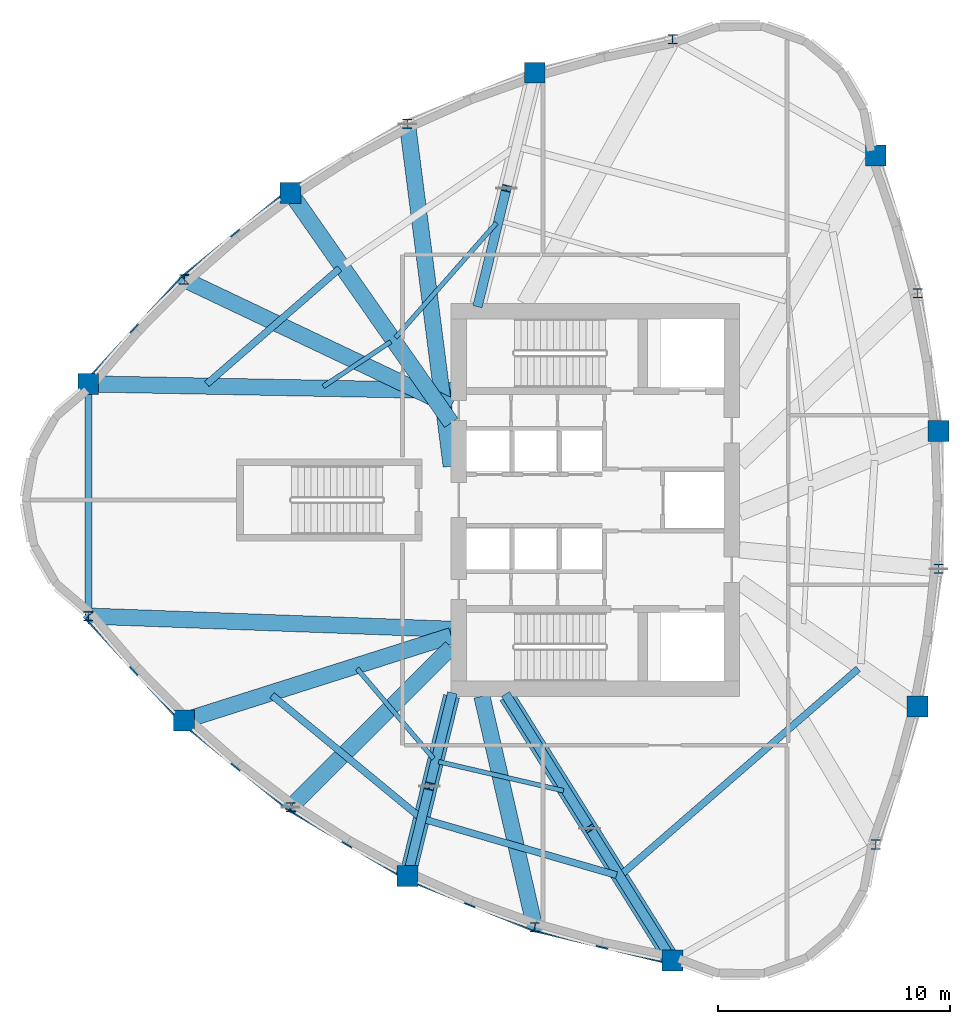
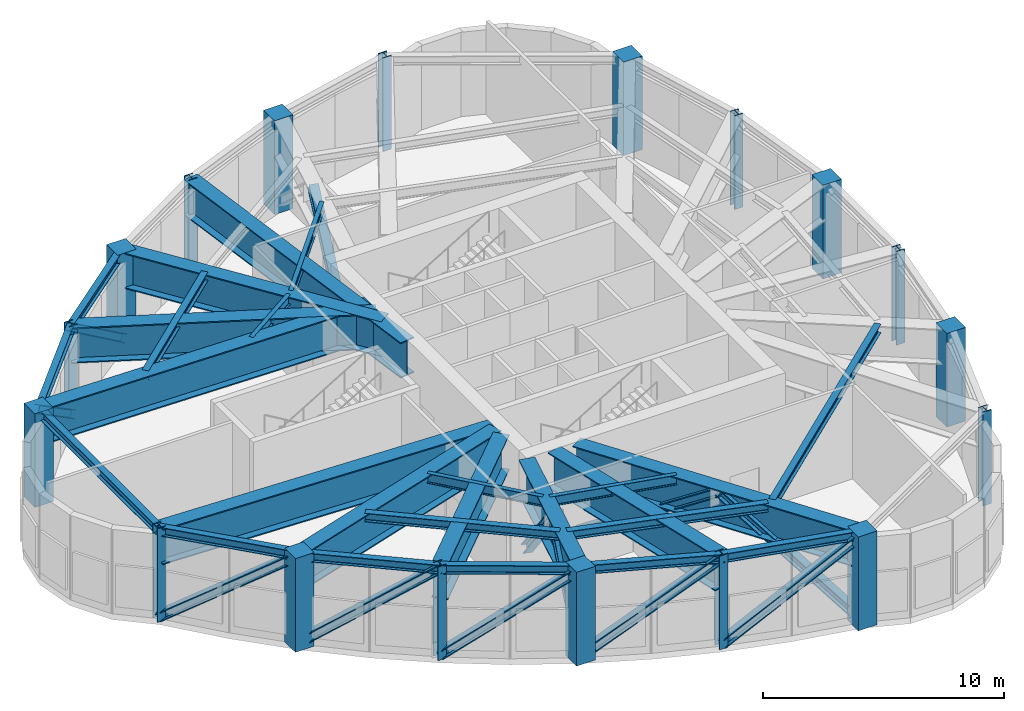
# One storey, part 1 of 9: 26 beams, 18 columns, 12 members.
"""IFC4 building model written with IfcOpenShell, lengths in metres."""

from ifc_helpers import new_model, si_unit, direction, frame, origin, origin_2d, place, context, subcontext, project, spatial, rectangle, i_section, extrude, source, transform, mapped, material, material_profile, profile_set, type_object, element, save


model = new_model("IFC4")

# Units and contexts
model_context = context("Model", 3, precision=1e-05, world=origin(), true_north=direction((0.0, 1.0)))
body_context = subcontext(model_context, "Body", "Model", "MODEL_VIEW")
ifc_project = project(units=[si_unit("LENGTHUNIT", "METRE"), si_unit("AREAUNIT", "SQUARE_METRE"), si_unit("VOLUMEUNIT", "CUBIC_METRE"), si_unit("PLANEANGLEUNIT", "RADIAN"), si_unit("MASSUNIT", "GRAM", prefix="KILO")], contexts=[model_context])

# Site, building, storey
site_placement = place(None, origin())
site = spatial("IfcSite", under=ifc_project, at=site_placement, CompositionType="ELEMENT")
building_placement = place(site_placement, origin())
building = spatial("IfcBuilding", under=site, at=building_placement, Name="Qafzar Sky-Pleat Residences", CompositionType="ELEMENT")
storey_placement = place(building_placement, frame((0.0, 0.0, 128.0)))
storey = spatial("IfcBuildingStorey", under=building, at=storey_placement, Name="L38", CompositionType="ELEMENT", Elevation=128.0)

# Columns
ifc_material_1 = material(Name="Concrete C60/75", Category="concrete")
ifc_material_profile_1 = material_profile(ifc_material_1, rectangle(XDim=0.89990234375, YDim=0.89990234375, at=origin_2d()), Name="RC 900x900")
ifc_profile_set_1 = profile_set([ifc_material_profile_1], Name="Concrete C60/75")
column_type_1 = type_object("IfcColumnType", Name="COL-RC-900", PredefinedType="COLUMN", material=ifc_profile_set_1)
shared_shape_1 = source(origin(), body_context, "Body", "SweptSolid", [
    extrude(rectangle(XDim=0.89990234375, YDim=0.89990234375, at=origin_2d()), origin(), (0.0, 0.0, 1.0), 4.75),
])
for number, where, z_axis, x_axis, name in (
    (1, (8.52880859375, 30.99609375, 0.0), (0.0, 0.0, 1.0), (1.0, 0.0, 0.0), "L38 Perimeter Mega Column 1"),
    (2, (12.65673828125, 16.50927734375, 0.0), (0.0, 0.0, 1.0), (1.0, 0.0, 0.0), "L38 Perimeter Mega Column 3"),
    (3, (22.26513671875, 9.813720703125, 0.0), (0.0, 0.0, 1.0), (1.0, 0.0, 0.0), "L38 Perimeter Mega Column 5"),
    (4, (33.6767578125, 6.17626953125, 0.0), (0.0, 0.0, 1.0), (1.0, 0.0, 0.0), "L38 Perimeter Mega Column 7"),
    (5, (44.2255859375, 17.103515625, 0.0), (0.0, 0.0, 1.0), (1.0, 0.0, 0.0), "L38 Perimeter Mega Column 9"),
    (6, (45.127197265625, 28.965576171875, 0.0), (0.0, 0.0, 1.0), (1.0, 0.0, 0.0), "L38 Perimeter Mega Column 11"),
    (7, (42.422607421875, 40.82763671875, 0.0), (0.0, 0.0, 1.0), (1.0, 0.0, 0.0), "L38 Perimeter Mega Column 13"),
    (8, (27.74560546875, 44.38720703125, 0.0), (0.0, 0.0, 1.0), (1.0, 0.0, 0.0), "L38 Perimeter Mega Column 15"),
    (9, (17.235595703125, 39.220703125, 0.0), (0.0, 0.0, 1.0), (1.0, 0.0, 0.0), "L38 Perimeter Mega Column 17"),
):
    element("IfcColumn", number, at=place(storey_placement, frame(where, z_axis=z_axis, x_axis=x_axis)), inside=storey, type_object=column_type_1, Name=name, PredefinedType="COLUMN", context=body_context, shape_type="MappedRepresentation", body=[
        mapped(shared_shape_1, transform((0.0, 0.0, 0.0), x_axis=(1.0, 0.0, 0.0), y_axis=(0.0, 1.0, 0.0), z_axis=(0.0, 0.0, 1.0), scale=1.0)),
    ])
ifc_material_2 = material(Name="Steel S460", Category="steel")
ifc_material_profile_2 = material_profile(ifc_material_2, i_section(OverallWidth=0.406005859375, OverallDepth=0.416015625, WebThickness=0.027099609375, FlangeThickness=0.0439453125, FilletRadius=0.014892578125, at=origin_2d()), Name="HD 400x382")
ifc_profile_set_2 = profile_set([ifc_material_profile_2], Name="Steel S460")
column_type_2 = type_object("IfcColumnType", Name="COL-STL-HD382", PredefinedType="PILASTER", material=ifc_profile_set_2)
shared_shape_2 = source(origin(), body_context, "Body", "SweptSolid", [
    extrude(i_section(OverallWidth=0.406005859375, OverallDepth=0.416015625, WebThickness=0.027099609375, FlangeThickness=0.0439453125, FilletRadius=0.014892578125, at=origin_2d()), origin(), (0.0, 0.0, 1.0), 4.75),
])
for number, where, z_axis, x_axis, name in (
    (10, (8.52880859375, 21.00390625, 0.0), (0.0, 0.0, 1.0), (1.0, 0.0, 0.0), "L38 Perimeter Mega Column 2"),
    (11, (17.235595703125, 12.779296875, 0.0), (0.0, 0.0, 1.0), (1.0, 0.0, 0.0), "L38 Perimeter Mega Column 4"),
    (12, (27.74560546875, 7.61279296875, 0.0), (0.0, 0.0, 1.0), (1.0, 0.0, 0.0), "L38 Perimeter Mega Column 6"),
    (13, (42.422607421875, 11.17236328125, 0.0), (0.0, 0.0, 1.0), (1.0, 0.0, 0.0), "L38 Perimeter Mega Column 8"),
    (14, (45.127197265625, 23.034423828125, 0.0), (0.0, 0.0, 1.0), (1.0, 0.0, 0.0), "L38 Perimeter Mega Column 10"),
    (15, (44.2255859375, 34.896484375, 0.0), (0.0, 0.0, 1.0), (1.0, 0.0, 0.0), "L38 Perimeter Mega Column 12"),
    (16, (33.6767578125, 45.82373046875, 0.0), (0.0, 0.0, 1.0), (1.0, 0.0, 0.0), "L38 Perimeter Mega Column 14"),
    (17, (22.26513671875, 42.186279296875, 0.0), (0.0, 0.0, 1.0), (1.0, 0.0, 0.0), "L38 Perimeter Mega Column 16"),
    (18, (12.65673828125, 35.49072265625, 0.0), (0.0, 0.0, 1.0), (1.0, 0.0, 0.0), "L38 Perimeter Mega Column 18"),
):
    element("IfcColumn", number, at=place(storey_placement, frame(where, z_axis=z_axis, x_axis=x_axis)), inside=storey, type_object=column_type_2, Name=name, PredefinedType="PILASTER", context=body_context, shape_type="MappedRepresentation", body=[
        mapped(shared_shape_2, transform((0.0, 0.0, 0.0), x_axis=(1.0, 0.0, 0.0), y_axis=(0.0, 1.0, 0.0), z_axis=(0.0, 0.0, 1.0), scale=1.0)),
    ])

# Beams
ifc_material_3 = material(Name="Steel S355", Category="steel")
ifc_material_profile_3 = material_profile(ifc_material_3, i_section(OverallWidth=0.300048828125, OverallDepth=0.449951171875, WebThickness=0.013916015625, FlangeThickness=0.02587890625, FilletRadius=0.027099609375, at=origin_2d()), Name="HEB 450")
ifc_profile_set_3 = profile_set([ifc_material_profile_3], Name="Steel S355")
beam_type_1 = type_object("IfcBeamType", Name="BM-SPAN-HEB450", PredefinedType="SPANDREL", material=ifc_profile_set_3)
shared_shape_3 = source(origin(), body_context, "Body", "SweptSolid", [
    extrude(i_section(OverallWidth=0.300048828125, OverallDepth=0.449951171875, WebThickness=0.013916015625, FlangeThickness=0.02587890625, FilletRadius=0.027099609375, at=origin_2d()), origin(), (0.0, 0.0, 1.0), 9.9921875),
])
beam_1_placement = place(storey_placement, frame((8.52880859375, 30.99609375, 4.52294921875), z_axis=(0.0, -1.0, 0.0), x_axis=(1.0, 0.0, 0.0)))
element("IfcBeam", 19, at=beam_1_placement, inside=storey, type_object=beam_type_1, Name="L38 Perimeter Spandrel Beam 1", PredefinedType="SPANDREL", context=body_context, shape_type="MappedRepresentation", body=[
    mapped(shared_shape_3, transform((0.0, 0.0, 0.0), x_axis=(1.0, 0.0, 0.0), y_axis=(0.0, 1.0, 0.0), z_axis=(0.0, 0.0, 1.0), scale=1.0)),
])
shared_shape_4 = source(origin(), body_context, "Body", "SweptSolid", [
    extrude(i_section(OverallWidth=0.300048828125, OverallDepth=0.449951171875, WebThickness=0.013916015625, FlangeThickness=0.02587890625, FilletRadius=0.027099609375, at=origin_2d()), origin(), (0.0, 0.0, 1.0), 6.1025390625),
])
for number, where, z_axis, x_axis, name in (
    (20, (8.52880859375, 21.00390625, 4.52294921875), (0.676423601397, -0.736512804691, 0.0), (0.736512804691, 0.676423601397, 0.0), "L38 Perimeter Spandrel Beam 2"),
    (21, (27.74560546875, 7.61279296875, 4.52294921875), (0.971900047669, -0.235393919506, 0.0), (0.235393919506, 0.971900047669, 0.0), "L38 Perimeter Spandrel Beam 6"),
    (22, (12.65673828125, 35.49072265625, 4.52294921875), (-0.676423601397, -0.736512804691, 0.0), (0.736512804691, -0.676423601397, 0.0), "L38 Perimeter Spandrel Beam 18"),
):
    element("IfcBeam", number, at=place(storey_placement, frame(where, z_axis=z_axis, x_axis=x_axis)), inside=storey, type_object=beam_type_1, Name=name, PredefinedType="SPANDREL", context=body_context, shape_type="MappedRepresentation", body=[
        mapped(shared_shape_4, transform((0.0, 0.0, 0.0), x_axis=(1.0, 0.0, 0.0), y_axis=(0.0, 1.0, 0.0), z_axis=(0.0, 0.0, 1.0), scale=1.0)),
    ])
shared_shape_5 = source(origin(), body_context, "Body", "SweptSolid", [
    extrude(i_section(OverallWidth=0.300048828125, OverallDepth=0.449951171875, WebThickness=0.013916015625, FlangeThickness=0.02587890625, FilletRadius=0.027099609375, at=origin_2d()), origin(), (0.0, 0.0, 1.0), 5.90576171875),
])
for number, where, z_axis, x_axis, name in (
    (23, (12.65673828125, 16.50927734375, 4.52294921875), (0.775312954576, -0.631577249801, 0.0), (0.631577249801, 0.775312954576, 0.0), "L38 Perimeter Spandrel Beam 3"),
    (24, (17.235595703125, 39.220703125, 4.52294921875), (-0.775312954576, -0.631577249801, 0.0), (0.631577249801, -0.775312954576, 0.0), "L38 Perimeter Spandrel Beam 17"),
):
    element("IfcBeam", number, at=place(storey_placement, frame(where, z_axis=z_axis, x_axis=x_axis)), inside=storey, type_object=beam_type_1, Name=name, PredefinedType="SPANDREL", context=body_context, shape_type="MappedRepresentation", body=[
        mapped(shared_shape_5, transform((0.0, 0.0, 0.0), x_axis=(1.0, 0.0, 0.0), y_axis=(0.0, 1.0, 0.0), z_axis=(0.0, 0.0, 1.0), scale=1.0)),
    ])
shared_shape_6 = source(origin(), body_context, "Body", "SweptSolid", [
    extrude(i_section(OverallWidth=0.300048828125, OverallDepth=0.449951171875, WebThickness=0.013916015625, FlangeThickness=0.02587890625, FilletRadius=0.027099609375, at=origin_2d()), origin(), (0.0, 0.0, 1.0), 5.838623046875),
])
beam_2_placement = place(storey_placement, frame((17.235595703125, 12.779296875, 4.52294921875), z_axis=(0.861408122247, -0.507913424637, 0.0), x_axis=(0.507913424637, 0.861408122247, 0.0)))
element("IfcBeam", 25, at=beam_2_placement, inside=storey, type_object=beam_type_1, Name="L38 Perimeter Spandrel Beam 4", PredefinedType="SPANDREL", context=body_context, shape_type="MappedRepresentation", body=[
    mapped(shared_shape_6, transform((0.0, 0.0, 0.0), x_axis=(1.0, 0.0, 0.0), y_axis=(0.0, 1.0, 0.0), z_axis=(0.0, 0.0, 1.0), scale=1.0)),
])
shared_shape_7 = source(origin(), body_context, "Body", "SweptSolid", [
    extrude(i_section(OverallWidth=0.300048828125, OverallDepth=0.449951171875, WebThickness=0.013916015625, FlangeThickness=0.02587890625, FilletRadius=0.027099609375, at=origin_2d()), origin(), (0.0, 0.0, 1.0), 5.906005859375),
])
beam_3_placement = place(storey_placement, frame((22.26513671875, 9.813720703125, 4.52294921875), z_axis=(0.927965498351, -0.372666115807, 0.0), x_axis=(0.372666115807, 0.927965498351, 0.0)))
element("IfcBeam", 26, at=beam_3_placement, inside=storey, type_object=beam_type_1, Name="L38 Perimeter Spandrel Beam 5", PredefinedType="SPANDREL", context=body_context, shape_type="MappedRepresentation", body=[
    mapped(shared_shape_7, transform((0.0, 0.0, 0.0), x_axis=(1.0, 0.0, 0.0), y_axis=(0.0, 1.0, 0.0), z_axis=(0.0, 0.0, 1.0), scale=1.0)),
])
ifc_material_profile_4 = material_profile(ifc_material_2, i_section(OverallWidth=0.699951171875, OverallDepth=1.800048828125, WebThickness=0.035888671875, FlangeThickness=0.054931640625, at=origin_2d()), Name="PG 1800x700x55")
ifc_profile_set_4 = profile_set([ifc_material_profile_4], Name="Steel S460")
beam_type_2 = type_object("IfcBeamType", Name="BM-XFER-PG1800", PredefinedType="BEAM", material=ifc_profile_set_4)
shared_shape_8 = source(origin(), body_context, "Body", "SweptSolid", [
    extrude(i_section(OverallWidth=0.699951171875, OverallDepth=1.800048828125, WebThickness=0.035888671875, FlangeThickness=0.054931640625, at=origin_2d()), origin(), (0.0, 0.0, 1.0), 15.623779296875),
])
beam_4_placement = place(storey_placement, frame((8.52880859375, 30.99609375, 3.847900390625), z_axis=(0.999826513089, -0.018626425413, 0.0), x_axis=(0.018626425413, 0.999826513089, 0.0)))
element("IfcBeam", 27, at=beam_4_placement, inside=storey, type_object=beam_type_2, Name="L39 Setback Transfer Girder 1", PredefinedType="BEAM", context=body_context, shape_type="MappedRepresentation", body=[
    mapped(shared_shape_8, transform((0.0, 0.0, 0.0), x_axis=(1.0, 0.0, 0.0), y_axis=(0.0, 1.0, 0.0), z_axis=(0.0, 0.0, 1.0), scale=1.0)),
])
shared_shape_9 = source(origin(), body_context, "Body", "SweptSolid", [
    extrude(i_section(OverallWidth=0.699951171875, OverallDepth=1.800048828125, WebThickness=0.035888671875, FlangeThickness=0.054931640625, at=origin_2d()), origin(), (0.0, 0.0, 1.0), 15.63134765625),
])
beam_5_placement = place(storey_placement, frame((8.52880859375, 21.00390625, 3.847900390625), z_axis=(0.999341023347, -0.036297645322, 0.0), x_axis=(0.036297645322, 0.999341023347, 0.0)))
element("IfcBeam", 28, at=beam_5_placement, inside=storey, type_object=beam_type_2, Name="L39 Setback Transfer Girder 2", PredefinedType="BEAM", context=body_context, shape_type="MappedRepresentation", body=[
    mapped(shared_shape_9, transform((0.0, 0.0, 0.0), x_axis=(1.0, 0.0, 0.0), y_axis=(0.0, 1.0, 0.0), z_axis=(0.0, 0.0, 1.0), scale=1.0)),
])
shared_shape_10 = source(origin(), body_context, "Body", "SweptSolid", [
    extrude(i_section(OverallWidth=0.699951171875, OverallDepth=1.800048828125, WebThickness=0.035888671875, FlangeThickness=0.054931640625, at=origin_2d()), origin(), (0.0, 0.0, 1.0), 12.05859375),
])
beam_6_placement = place(storey_placement, frame((12.65673828125, 16.50927734375, 3.847900390625), z_axis=(0.953111198197, 0.30262029653, 0.0), x_axis=(-0.30262029653, 0.953111198197, 0.0)))
element("IfcBeam", 29, at=beam_6_placement, inside=storey, type_object=beam_type_2, Name="L39 Setback Transfer Girder 3", PredefinedType="BEAM", context=body_context, shape_type="MappedRepresentation", body=[
    mapped(shared_shape_10, transform((0.0, 0.0, 0.0), x_axis=(1.0, 0.0, 0.0), y_axis=(0.0, 1.0, 0.0), z_axis=(0.0, 0.0, 1.0), scale=1.0)),
])
shared_shape_11 = source(origin(), body_context, "Body", "SweptSolid", [
    extrude(i_section(OverallWidth=0.699951171875, OverallDepth=1.800048828125, WebThickness=0.035888671875, FlangeThickness=0.054931640625, at=origin_2d()), origin(), (0.0, 0.0, 1.0), 9.75439453125),
])
beam_7_placement = place(storey_placement, frame((17.235595703125, 12.779296875, 3.847900390625), z_axis=(0.708844151758, 0.705365131346, 0.0), x_axis=(-0.705365131346, 0.708844151758, 0.0)))
element("IfcBeam", 30, at=beam_7_placement, inside=storey, type_object=beam_type_2, Name="L39 Setback Transfer Girder 4", PredefinedType="BEAM", context=body_context, shape_type="MappedRepresentation", body=[
    mapped(shared_shape_11, transform((0.0, 0.0, 0.0), x_axis=(1.0, 0.0, 0.0), y_axis=(0.0, 1.0, 0.0), z_axis=(0.0, 0.0, 1.0), scale=1.0)),
])
shared_shape_12 = source(origin(), body_context, "Body", "SweptSolid", [
    extrude(i_section(OverallWidth=0.699951171875, OverallDepth=1.800048828125, WebThickness=0.035888671875, FlangeThickness=0.054931640625, at=origin_2d()), origin(), (0.0, 0.0, 1.0), 7.965576171875),
])
beam_8_placement = place(storey_placement, frame((22.26513671875, 9.813720703125, 3.847900390625), z_axis=(0.238206254584, 0.971214590231, 0.0), x_axis=(-0.971214590231, 0.238206254584, 0.0)))
element("IfcBeam", 31, at=beam_8_placement, inside=storey, type_object=beam_type_2, Name="L39 Setback Transfer Girder 5", PredefinedType="BEAM", context=body_context, shape_type="MappedRepresentation", body=[
    mapped(shared_shape_12, transform((0.0, 0.0, 0.0), x_axis=(1.0, 0.0, 0.0), y_axis=(0.0, 1.0, 0.0), z_axis=(0.0, 0.0, 1.0), scale=1.0)),
])
shared_shape_13 = source(origin(), body_context, "Body", "SweptSolid", [
    extrude(i_section(OverallWidth=0.699951171875, OverallDepth=1.800048828125, WebThickness=0.035888671875, FlangeThickness=0.054931640625, at=origin_2d()), origin(), (0.0, 0.0, 1.0), 10.194091796875),
])
beam_9_placement = place(storey_placement, frame((27.74560546875, 7.61279296875, 3.847900390625), z_axis=(-0.223085557808, 0.974798868433, 0.0), x_axis=(-0.974798868433, -0.223085557808, 0.0)))
element("IfcBeam", 32, at=beam_9_placement, inside=storey, type_object=beam_type_2, Name="L39 Setback Transfer Girder 6", PredefinedType="BEAM", context=body_context, shape_type="MappedRepresentation", body=[
    mapped(shared_shape_13, transform((0.0, 0.0, 0.0), x_axis=(1.0, 0.0, 0.0), y_axis=(0.0, 1.0, 0.0), z_axis=(0.0, 0.0, 1.0), scale=1.0)),
])
shared_shape_14 = source(origin(), body_context, "Body", "SweptSolid", [
    extrude(i_section(OverallWidth=0.699951171875, OverallDepth=1.800048828125, WebThickness=0.035888671875, FlangeThickness=0.054931640625, at=origin_2d()), origin(), (0.0, 0.0, 1.0), 13.423095703125),
])
beam_10_placement = place(storey_placement, frame((33.6767578125, 6.17626953125, 3.847900390625), z_axis=(-0.531072631101, 0.847326301076, 0.0), x_axis=(-0.847326301076, -0.531072631101, 0.0)))
element("IfcBeam", 33, at=beam_10_placement, inside=storey, type_object=beam_type_2, Name="L39 Setback Transfer Girder 7", PredefinedType="BEAM", context=body_context, shape_type="MappedRepresentation", body=[
    mapped(shared_shape_14, transform((0.0, 0.0, 0.0), x_axis=(1.0, 0.0, 0.0), y_axis=(0.0, 1.0, 0.0), z_axis=(0.0, 0.0, 1.0), scale=1.0)),
])
shared_shape_15 = source(origin(), body_context, "Body", "SweptSolid", [
    extrude(i_section(OverallWidth=0.699951171875, OverallDepth=1.800048828125, WebThickness=0.035888671875, FlangeThickness=0.054931640625, at=origin_2d()), origin(), (0.0, 0.0, 1.0), 14.851318359375),
])
beam_11_placement = place(storey_placement, frame((22.26513671875, 42.186279296875, 3.847900390625), z_axis=(0.126909272962, -0.991914329182, 0.0), x_axis=(0.991914329182, 0.126909272962, 0.0)))
element("IfcBeam", 34, at=beam_11_placement, inside=storey, type_object=beam_type_2, Name="L39 Setback Transfer Girder 16", PredefinedType="BEAM", context=body_context, shape_type="MappedRepresentation", body=[
    mapped(shared_shape_15, transform((0.0, 0.0, 0.0), x_axis=(1.0, 0.0, 0.0), y_axis=(0.0, 1.0, 0.0), z_axis=(0.0, 0.0, 1.0), scale=1.0)),
])
shared_shape_16 = source(origin(), body_context, "Body", "SweptSolid", [
    extrude(i_section(OverallWidth=0.699951171875, OverallDepth=1.800048828125, WebThickness=0.035888671875, FlangeThickness=0.054931640625, at=origin_2d()), origin(), (0.0, 0.0, 1.0), 12.0751953125),
])
beam_12_placement = place(storey_placement, frame((17.235595703125, 39.220703125, 3.847900390625), z_axis=(0.572603089723, -0.819832727841, 0.0), x_axis=(0.819832727841, 0.572603089723, 0.0)))
element("IfcBeam", 35, at=beam_12_placement, inside=storey, type_object=beam_type_2, Name="L39 Setback Transfer Girder 17", PredefinedType="BEAM", context=body_context, shape_type="MappedRepresentation", body=[
    mapped(shared_shape_16, transform((0.0, 0.0, 0.0), x_axis=(1.0, 0.0, 0.0), y_axis=(0.0, 1.0, 0.0), z_axis=(0.0, 0.0, 1.0), scale=1.0)),
])
shared_shape_17 = source(origin(), body_context, "Body", "SweptSolid", [
    extrude(i_section(OverallWidth=0.699951171875, OverallDepth=1.800048828125, WebThickness=0.035888671875, FlangeThickness=0.054931640625, at=origin_2d()), origin(), (0.0, 0.0, 1.0), 12.72509765625),
])
beam_13_placement = place(storey_placement, frame((12.65673828125, 35.49072265625, 3.847900390625), z_axis=(0.903181563539, -0.429258736992, 0.0), x_axis=(0.429258736992, 0.903181563539, 0.0)))
element("IfcBeam", 36, at=beam_13_placement, inside=storey, type_object=beam_type_2, Name="L39 Setback Transfer Girder 18", PredefinedType="BEAM", context=body_context, shape_type="MappedRepresentation", body=[
    mapped(shared_shape_17, transform((0.0, 0.0, 0.0), x_axis=(1.0, 0.0, 0.0), y_axis=(0.0, 1.0, 0.0), z_axis=(0.0, 0.0, 1.0), scale=1.0)),
])
ifc_material_profile_5 = material_profile(ifc_material_3, i_section(OverallWidth=0.300048828125, OverallDepth=0.43994140625, WebThickness=0.011474609375, FlangeThickness=0.02099609375, FilletRadius=0.027099609375, at=origin_2d()), Name="HEA 450")
ifc_profile_set_5 = profile_set([ifc_material_profile_5], Name="Steel S355")
beam_type_3 = type_object("IfcBeamType", Name="BM-PLT-HEA450", PredefinedType="BEAM", material=ifc_profile_set_5)
shared_shape_18 = source(origin(), body_context, "Body", "SweptSolid", [
    extrude(i_section(OverallWidth=0.300048828125, OverallDepth=0.43994140625, WebThickness=0.011474609375, FlangeThickness=0.02099609375, FilletRadius=0.027099609375, at=origin_2d()), origin(), (0.0, 0.0, 1.0), 8.201904296875),
])
beam_14_placement = place(storey_placement, frame((16.438720703125, 17.59130859375, 4.528076171875), z_axis=(0.77172311887, -0.635958668312, 0.0), x_axis=(0.635958668312, 0.77172311887, 0.0)))
element("IfcBeam", 37, at=beam_14_placement, inside=storey, type_object=beam_type_3, Name="L38 Outer Secondary Floor Joist 2", PredefinedType="BEAM", context=body_context, shape_type="MappedRepresentation", body=[
    mapped(shared_shape_18, transform((0.0, 0.0, 0.0), x_axis=(1.0, 0.0, 0.0), y_axis=(0.0, 1.0, 0.0), z_axis=(0.0, 0.0, 1.0), scale=1.0)),
])
shared_shape_19 = source(origin(), body_context, "Body", "SweptSolid", [
    extrude(i_section(OverallWidth=0.300048828125, OverallDepth=0.43994140625, WebThickness=0.011474609375, FlangeThickness=0.02099609375, FilletRadius=0.027099609375, at=origin_2d()), origin(), (0.0, 0.0, 1.0), 8.604736328125),
])
beam_15_placement = place(storey_placement, frame((23.002197265625, 12.251708984375, 4.528076171875), z_axis=(0.960375384336, -0.278709743569, 0.0), x_axis=(0.278709743569, 0.960375384336, 0.0)))
element("IfcBeam", 38, at=beam_15_placement, inside=storey, type_object=beam_type_3, Name="L38 Outer Secondary Floor Joist 3", PredefinedType="BEAM", context=body_context, shape_type="MappedRepresentation", body=[
    mapped(shared_shape_19, transform((0.0, 0.0, 0.0), x_axis=(1.0, 0.0, 0.0), y_axis=(0.0, 1.0, 0.0), z_axis=(0.0, 0.0, 1.0), scale=1.0)),
])
shared_shape_20 = source(origin(), body_context, "Body", "SweptSolid", [
    extrude(i_section(OverallWidth=0.300048828125, OverallDepth=0.43994140625, WebThickness=0.011474609375, FlangeThickness=0.02099609375, FilletRadius=0.027099609375, at=origin_2d()), origin(), (0.0, 0.0, 1.0), 13.468017578125),
])
beam_16_placement = place(storey_placement, frame((31.49755859375, 9.904296875, 4.528076171875), z_axis=(0.75511340843, 0.655594188815, 0.0), x_axis=(-0.655594188815, 0.75511340843, 0.0)))
element("IfcBeam", 39, at=beam_16_placement, inside=storey, type_object=beam_type_3, Name="L38 Outer Secondary Floor Joist 4", PredefinedType="BEAM", context=body_context, shape_type="MappedRepresentation", body=[
    mapped(shared_shape_20, transform((0.0, 0.0, 0.0), x_axis=(1.0, 0.0, 0.0), y_axis=(0.0, 1.0, 0.0), z_axis=(0.0, 0.0, 1.0), scale=1.0)),
])
shared_shape_21 = source(origin(), body_context, "Body", "SweptSolid", [
    extrude(i_section(OverallWidth=0.300048828125, OverallDepth=0.43994140625, WebThickness=0.011474609375, FlangeThickness=0.02099609375, FilletRadius=0.027099609375, at=origin_2d()), origin(), (0.0, 0.0, 1.0), 7.576904296875),
])
beam_17_placement = place(storey_placement, frame((19.34619140625, 35.96435546875, 4.528076171875), z_axis=(-0.754505622377, -0.65629358202, 0.0), x_axis=(0.65629358202, -0.754505622377, 0.0)))
element("IfcBeam", 40, at=beam_17_placement, inside=storey, type_object=beam_type_3, Name="L38 Outer Secondary Floor Joist 9", PredefinedType="BEAM", context=body_context, shape_type="MappedRepresentation", body=[
    mapped(shared_shape_21, transform((0.0, 0.0, 0.0), x_axis=(1.0, 0.0, 0.0), y_axis=(0.0, 1.0, 0.0), z_axis=(0.0, 0.0, 1.0), scale=1.0)),
])
ifc_material_profile_6 = material_profile(ifc_material_3, i_section(OverallWidth=0.199951171875, OverallDepth=0.5, WebThickness=0.01025390625, FlangeThickness=0.01611328125, FilletRadius=0.02099609375, at=origin_2d()), Name="IPE 500")
ifc_profile_set_6 = profile_set([ifc_material_profile_6], Name="Steel S355")
beam_type_4 = type_object("IfcBeamType", Name="BM-SEC-IPE500", PredefinedType="BEAM", material=ifc_profile_set_6)
shared_shape_22 = source(origin(), body_context, "Body", "SweptSolid", [
    extrude(i_section(OverallWidth=0.199951171875, OverallDepth=0.5, WebThickness=0.01025390625, FlangeThickness=0.01611328125, FilletRadius=0.02099609375, at=origin_2d()), origin(), (0.0, 0.0, 1.0), 5.083984375),
])
beam_18_placement = place(storey_placement, frame((20.099853515625, 18.741943359375, 4.498046875), z_axis=(0.647570355571, -0.762005665718, 0.0), x_axis=(0.762005665718, 0.647570355571, 0.0)))
element("IfcBeam", 41, at=beam_18_placement, inside=storey, type_object=beam_type_4, Name="L38 Inner Secondary Floor Joist 2", PredefinedType="BEAM", context=body_context, shape_type="MappedRepresentation", body=[
    mapped(shared_shape_22, transform((0.0, 0.0, 0.0), x_axis=(1.0, 0.0, 0.0), y_axis=(0.0, 1.0, 0.0), z_axis=(0.0, 0.0, 1.0), scale=1.0)),
])
shared_shape_23 = source(origin(), body_context, "Body", "SweptSolid", [
    extrude(i_section(OverallWidth=0.199951171875, OverallDepth=0.5, WebThickness=0.01025390625, FlangeThickness=0.01611328125, FilletRadius=0.02099609375, at=origin_2d()), origin(), (0.0, 0.0, 1.0), 5.514892578125),
])
beam_19_placement = place(storey_placement, frame((23.611083984375, 14.734375, 4.498046875), z_axis=(0.974046852989, -0.226346478177, 0.0), x_axis=(0.226346478177, 0.974046852989, 0.0)))
element("IfcBeam", 42, at=beam_19_placement, inside=storey, type_object=beam_type_4, Name="L38 Inner Secondary Floor Joist 3", PredefinedType="BEAM", context=body_context, shape_type="MappedRepresentation", body=[
    mapped(shared_shape_23, transform((0.0, 0.0, 0.0), x_axis=(1.0, 0.0, 0.0), y_axis=(0.0, 1.0, 0.0), z_axis=(0.0, 0.0, 1.0), scale=1.0)),
])
shared_shape_24 = source(origin(), body_context, "Body", "SweptSolid", [
    extrude(i_section(OverallWidth=0.199951171875, OverallDepth=0.5, WebThickness=0.01025390625, FlangeThickness=0.01611328125, FilletRadius=0.02099609375, at=origin_2d()), origin(), (0.0, 0.0, 1.0), 6.58154296875),
])
beam_20_placement = place(storey_placement, frame((26.09912109375, 37.926025390625, 4.498046875), z_axis=(-0.660815190403, -0.750548655407, 0.0), x_axis=(0.750548655407, -0.660815190403, 0.0)))
element("IfcBeam", 43, at=beam_20_placement, inside=storey, type_object=beam_type_4, Name="L38 Inner Secondary Floor Joist 8", PredefinedType="BEAM", context=body_context, shape_type="MappedRepresentation", body=[
    mapped(shared_shape_24, transform((0.0, 0.0, 0.0), x_axis=(1.0, 0.0, 0.0), y_axis=(0.0, 1.0, 0.0), z_axis=(0.0, 0.0, 1.0), scale=1.0)),
])
shared_shape_25 = source(origin(), body_context, "Body", "SweptSolid", [
    extrude(i_section(OverallWidth=0.199951171875, OverallDepth=0.5, WebThickness=0.01025390625, FlangeThickness=0.01611328125, FilletRadius=0.02099609375, at=origin_2d()), origin(), (0.0, 0.0, 1.0), 3.489013671875),
])
beam_21_placement = place(storey_placement, frame((21.548095703125, 32.810546875, 4.498046875), z_axis=(-0.83382231716, -0.552032918771, 0.0), x_axis=(0.552032918771, -0.83382231716, 0.0)))
element("IfcBeam", 44, at=beam_21_placement, inside=storey, type_object=beam_type_4, Name="L38 Inner Secondary Floor Joist 9", PredefinedType="BEAM", context=body_context, shape_type="MappedRepresentation", body=[
    mapped(shared_shape_25, transform((0.0, 0.0, 0.0), x_axis=(1.0, 0.0, 0.0), y_axis=(0.0, 1.0, 0.0), z_axis=(0.0, 0.0, 1.0), scale=1.0)),
])

# Members
ifc_material_profile_7 = material_profile(ifc_material_2, i_section(OverallWidth=0.406005859375, OverallDepth=0.416015625, WebThickness=0.027099609375, FlangeThickness=0.0439453125, FilletRadius=0.014892578125, at=origin_2d()), Name="HD 400x382")
ifc_profile_set_7 = profile_set([ifc_material_profile_7], Name="Steel S460")
member_type_1 = type_object("IfcMemberType", Name="MEM-BELT-HD382", PredefinedType="BRACE", material=ifc_profile_set_7)
shared_shape_26 = source(origin(), body_context, "Body", "SweptSolid", [
    extrude(i_section(OverallWidth=0.406005859375, OverallDepth=0.416015625, WebThickness=0.027099609375, FlangeThickness=0.0439453125, FilletRadius=0.014892578125, at=origin_2d()), origin(), (0.0, 0.0, 1.0), 7.5234375),
])
for number, where, z_axis, x_axis, name in (
    (45, (8.52880859375, 21.00390625, 0.14990234375), (0.548672766226, -0.597413391662, 0.584855054749), (0.736512804691, 0.676423601397, 0.0), "L38 Belt Truss Diagonal 2"),
    (46, (27.74560546875, 7.61279296875, 0.14990234375), (0.788347331524, -0.190937503033, 0.58485156648), (0.235393919506, 0.971900047669, 0.0), "L38 Belt Truss Diagonal 6"),
    (47, (12.65673828125, 35.49072265625, 0.14990234375), (-0.548672766226, -0.597413391662, 0.584855054749), (0.736512804691, -0.676423601397, 0.0), "L38 Belt Truss Diagonal 18"),
):
    element("IfcMember", number, at=place(storey_placement, frame(where, z_axis=z_axis, x_axis=x_axis)), inside=storey, type_object=member_type_1, Name=name, PredefinedType="BRACE", context=body_context, shape_type="MappedRepresentation", body=[
        mapped(shared_shape_26, transform((0.0, 0.0, 0.0), x_axis=(1.0, 0.0, 0.0), y_axis=(0.0, 1.0, 0.0), z_axis=(0.0, 0.0, 1.0), scale=1.0)),
    ])
shared_shape_27 = source(origin(), body_context, "Body", "SweptSolid", [
    extrude(i_section(OverallWidth=0.406005859375, OverallDepth=0.416015625, WebThickness=0.027099609375, FlangeThickness=0.0439453125, FilletRadius=0.014892578125, at=origin_2d()), origin(), (0.0, 0.0, 1.0), 7.36474609375),
])
for number, where, z_axis, x_axis, name in (
    (48, (12.65673828125, 16.50927734375, 0.14990234375), (0.621723617777, -0.506461926547, 0.597457998571), (0.631577249801, 0.775312954576, 0.0), "L38 Belt Truss Diagonal 3"),
    (49, (22.26513671875, 9.813720703125, 0.14990234375), (0.744139269142, -0.298842458629, 0.597452870979), (0.372666115807, 0.927965498351, 0.0), "L38 Belt Truss Diagonal 5"),
    (50, (17.235595703125, 39.220703125, 0.14990234375), (-0.621723617777, -0.506461926547, 0.597457998571), (0.631577249801, -0.775312954576, 0.0), "L38 Belt Truss Diagonal 17"),
):
    element("IfcMember", number, at=place(storey_placement, frame(where, z_axis=z_axis, x_axis=x_axis)), inside=storey, type_object=member_type_1, Name=name, PredefinedType="BRACE", context=body_context, shape_type="MappedRepresentation", body=[
        mapped(shared_shape_27, transform((0.0, 0.0, 0.0), x_axis=(1.0, 0.0, 0.0), y_axis=(0.0, 1.0, 0.0), z_axis=(0.0, 0.0, 1.0), scale=1.0)),
    ])
shared_shape_28 = source(origin(), body_context, "Body", "SweptSolid", [
    extrude(i_section(OverallWidth=0.406005859375, OverallDepth=0.416015625, WebThickness=0.027099609375, FlangeThickness=0.0439453125, FilletRadius=0.014892578125, at=origin_2d()), origin(), (0.0, 0.0, 1.0), 7.31103515625),
])
member_1_placement = place(storey_placement, frame((17.235595703125, 12.779296875, 0.14990234375), z_axis=(0.687931989677, -0.405626420009, 0.601844485702), x_axis=(0.507913424637, 0.861408122247, 0.0)))
element("IfcMember", 51, at=member_1_placement, inside=storey, type_object=member_type_1, Name="L38 Belt Truss Diagonal 4", PredefinedType="BRACE", context=body_context, shape_type="MappedRepresentation", body=[
    mapped(shared_shape_28, transform((0.0, 0.0, 0.0), x_axis=(1.0, 0.0, 0.0), y_axis=(0.0, 1.0, 0.0), z_axis=(0.0, 0.0, 1.0), scale=1.0)),
])
ifc_material_profile_8 = material_profile(ifc_material_2, i_section(OverallWidth=0.408935546875, OverallDepth=0.425048828125, WebThickness=0.030029296875, FlangeThickness=0.048095703125, FilletRadius=0.014892578125, at=origin_2d()), Name="HD 400x421")
ifc_profile_set_8 = profile_set([ifc_material_profile_8], Name="Steel S460")
member_type_2 = type_object("IfcMemberType", Name="MEM-OUT-HD421", PredefinedType="BRACE", material=ifc_profile_set_8)
shared_shape_29 = source(origin(), body_context, "Body", "SweptSolid", [
    extrude(i_section(OverallWidth=0.408935546875, OverallDepth=0.425048828125, WebThickness=0.030029296875, FlangeThickness=0.048095703125, FilletRadius=0.014892578125, at=origin_2d()), origin(), (0.0, 0.0, 1.0), 5.861083984375),
])
for number, where, z_axis, x_axis, name in (
    (52, (24.16259765625, 17.550048828125, 0.199951171875), (-0.161826778029, -0.659970005428, 0.733656381318), (0.971228770104, -0.238148432962, 0.0), "L38 Outrigger Truss Diagonal 3A"),
    (53, (23.214111328125, 13.681884765625, 4.5), (-0.161907903221, -0.659961105901, -0.733646488149), (0.971200407329, -0.238264073674, 0.0), "L38 Outrigger Truss Diagonal 3B"),
):
    element("IfcMember", number, at=place(storey_placement, frame(where, z_axis=z_axis, x_axis=x_axis)), inside=storey, type_object=member_type_2, Name=name, PredefinedType="BRACE", context=body_context, shape_type="MappedRepresentation", body=[
        mapped(shared_shape_29, transform((0.0, 0.0, 0.0), x_axis=(1.0, 0.0, 0.0), y_axis=(0.0, 1.0, 0.0), z_axis=(0.0, 0.0, 1.0), scale=1.0)),
    ])
shared_shape_30 = source(origin(), body_context, "Body", "SweptSolid", [
    extrude(i_section(OverallWidth=0.408935546875, OverallDepth=0.425048828125, WebThickness=0.030029296875, FlangeThickness=0.048095703125, FilletRadius=0.014892578125, at=origin_2d()), origin(), (0.0, 0.0, 1.0), 7.970947265625),
])
for number, where, z_axis, x_axis, name in (
    (54, (26.548095703125, 17.550048828125, 0.199951171875), (0.447149610698, -0.713466883457, 0.539464764245), (0.847339614924, 0.531051388267, 0.0), "L38 Outrigger Truss Diagonal 4A"),
    (55, (30.1123046875, 11.863037109375, 4.5), (0.447183886744, -0.713442073557, -0.539469164193), (0.847312986542, 0.531093873847, 0.0), "L38 Outrigger Truss Diagonal 4B"),
):
    element("IfcMember", number, at=place(storey_placement, frame(where, z_axis=z_axis, x_axis=x_axis)), inside=storey, type_object=member_type_2, Name=name, PredefinedType="BRACE", context=body_context, shape_type="MappedRepresentation", body=[
        mapped(shared_shape_30, transform((0.0, 0.0, 0.0), x_axis=(1.0, 0.0, 0.0), y_axis=(0.0, 1.0, 0.0), z_axis=(0.0, 0.0, 1.0), scale=1.0)),
    ])
shared_shape_31 = source(origin(), body_context, "Body", "SweptSolid", [
    extrude(i_section(OverallWidth=0.408935546875, OverallDepth=0.425048828125, WebThickness=0.030029296875, FlangeThickness=0.048095703125, FilletRadius=0.014892578125, at=origin_2d()), origin(), (0.0, 0.0, 1.0), 6.6826171875),
])
member_2_placement = place(storey_placement, frame((25.312255859375, 34.449951171875, 0.199951171875), z_axis=(0.182044240257, 0.743520846422, 0.64345679383), x_axis=(-0.971310137044, 0.237816352835, 0.0)))
element("IfcMember", 56, at=member_2_placement, inside=storey, type_object=member_type_2, Name="L38 Outrigger Truss Diagonal 8A", PredefinedType="BRACE", context=body_context, shape_type="MappedRepresentation", body=[
    mapped(shared_shape_31, transform((0.0, 0.0, 0.0), x_axis=(1.0, 0.0, 0.0), y_axis=(0.0, 1.0, 0.0), z_axis=(0.0, 0.0, 1.0), scale=1.0)),
])

save(model, "model.ifc")
